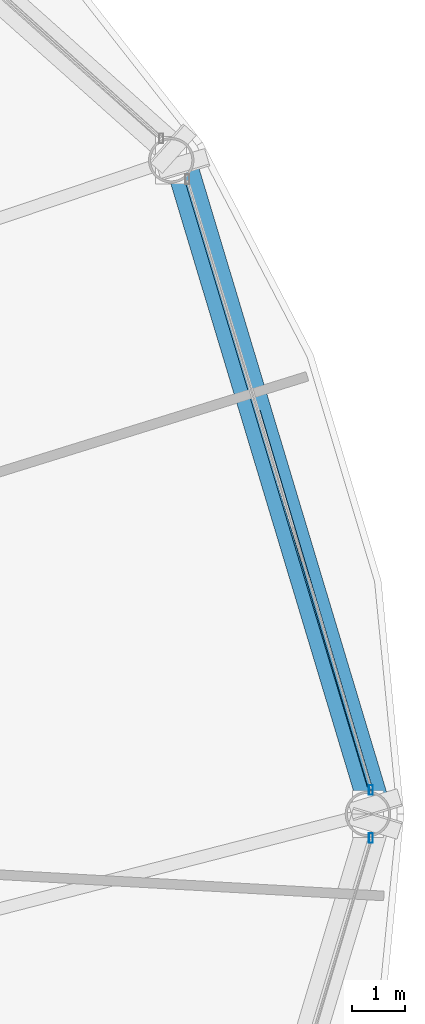
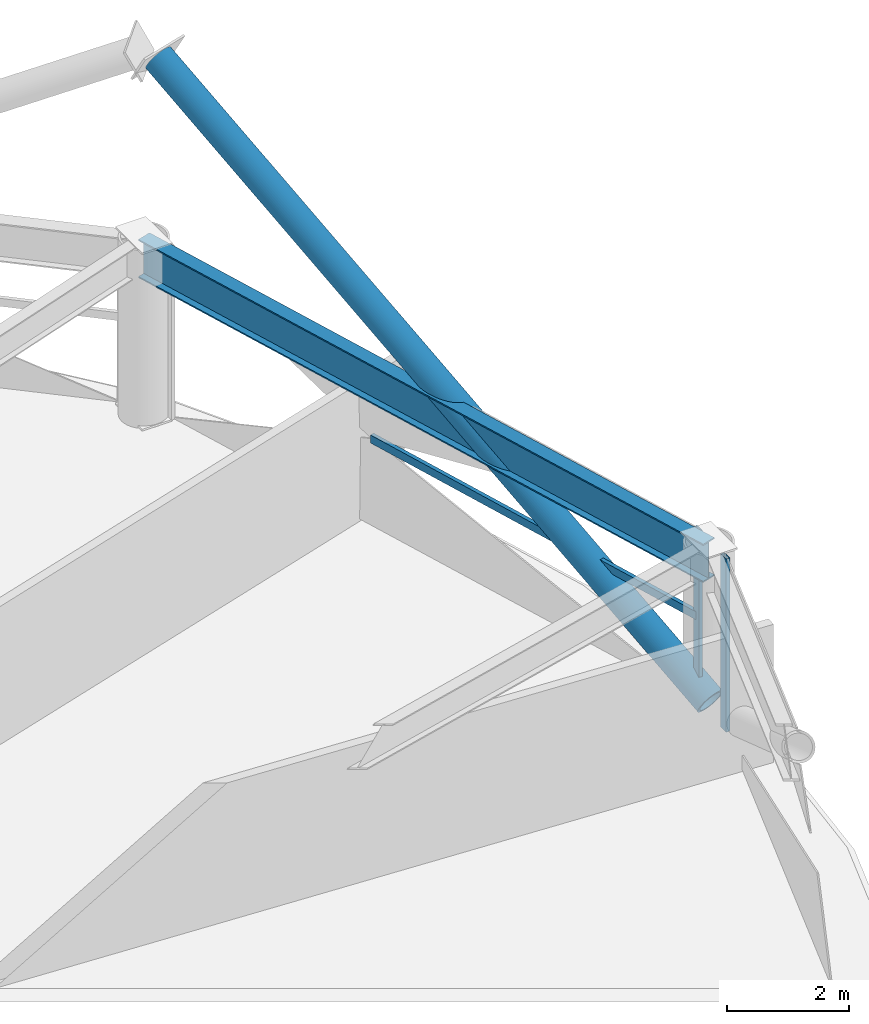
# One storey, part 12 of 30: 4 members, 1 beam, 2 elements without a shape of their own.
"""IFC4 building model written with IfcOpenShell, lengths in metres."""

from ifc_helpers import new_model, si_unit, direction, frame, origin, origin_2d, place, context, subcontext, project, spatial, hollow_rectangle, hollow_circle, i_section, extrude, material, layer, layer_set, material_profile, profile_set, type_object, element, aggregate, save


model = new_model("IFC4")

# Units and contexts
model_context = context("Model", 3, precision=1e-05, world=origin(), true_north=direction((0.0, 1.0)))
body_context = subcontext(model_context, "Body", "Model", "MODEL_VIEW")
ifc_project = project(units=[si_unit("LENGTHUNIT", "METRE"), si_unit("AREAUNIT", "SQUARE_METRE"), si_unit("VOLUMEUNIT", "CUBIC_METRE"), si_unit("PLANEANGLEUNIT", "RADIAN"), si_unit("MASSUNIT", "GRAM", prefix="KILO")], contexts=[model_context])

# Site, building, storey
site_placement = place(None, origin())
site = spatial("IfcSite", under=ifc_project, at=site_placement, CompositionType="ELEMENT")
building_placement = place(site_placement, origin())
building = spatial("IfcBuilding", under=site, at=building_placement, Name="Vantalir Tower", CompositionType="ELEMENT")
storey_placement = place(building_placement, frame((0.0, 0.0, 57.0)))
storey = spatial("IfcBuildingStorey", under=building, at=storey_placement, Name="L13", CompositionType="ELEMENT", Elevation=57.0)

# Beam
ifc_material_1 = material(Name="Steel S460", Category="steel")
ifc_material_profile_1 = material_profile(ifc_material_1, i_section(OverallWidth=0.26806640625, OverallDepth=0.77001953125, WebThickness=0.015625, FlangeThickness=0.025390625, at=origin_2d()), Name="Steel S460")
ifc_profile_set_1 = profile_set([ifc_material_profile_1], Name="Steel S460")
beam_type = type_object("IfcBeamType", Name="BM-RG-762x267", PredefinedType="USERDEFINED", material=ifc_profile_set_1)
beam_placement = place(storey_placement, frame((58.950927734375, 25.0, 3.18505859375), z_axis=(-0.28809870996, 0.957600717063, 0.0), x_axis=(-0.957600717063, -0.28809870996, 0.0)))
element("IfcBeam", 1, at=beam_placement, inside=storey, type_object=beam_type, Name="L13 Circumferential Ring Girder 01", ObjectType="GIRDER", PredefinedType="USERDEFINED", context=body_context, shape_type="SweptSolid", body=[
    extrude(i_section(OverallWidth=0.26806640625, OverallDepth=0.77001953125, WebThickness=0.015625, FlangeThickness=0.025390625, at=origin_2d()), origin(), (0.0, 0.0, 1.0), 12.766357421875),
])

# Curtain wall, member
ifc_material_2 = material(Name="Champagne-silver PVDF aluminium and double-silver Low-E glass", Category="aluminium")
ifc_layer = layer(ifc_material_2, 0.18994140625)
ifc_layer_set = layer_set([ifc_layer], Name="Champagne-silver PVDF aluminium and double-silver Low-E glass")
curtain_wall_type = type_object("IfcCurtainWallType", Name="CW-DIAMOND-Z1", PredefinedType="USERDEFINED", material=ifc_layer_set)
curtain_wall_1_placement = place(storey_placement, origin())
curtain_wall_1 = element("IfcCurtainWall", 2, at=curtain_wall_1_placement, inside=storey, type_object=curtain_wall_type, Name="L13 Quilted Pyramid-Diamond Curtain Wall S01", ObjectType="UNITISED CURTAIN WALL", PredefinedType="USERDEFINED")
ifc_material_3 = material(Name="Champagne-silver PVDF aluminium 6063-T6", Category="aluminium")
ifc_material_profile_2 = material_profile(ifc_material_3, hollow_rectangle(XDim=0.074951171875, YDim=0.179931640625, WallThickness=0.00390625, at=origin_2d()), Name="Champagne-silver PVDF aluminium 6063-T6")
ifc_profile_set_2 = profile_set([ifc_material_profile_2], Name="Champagne-silver PVDF aluminium 6063-T6")
member_type_1 = type_object("IfcMemberType", Name="CWM-180x75", PredefinedType="MULLION", material=ifc_profile_set_2)
member_1_placement = place(storey_placement, frame((59.006103515625, 25.449951171875, 0.044921875), z_axis=(0.0, 0.0, 1.0), x_axis=(1.0, 0.0, 0.0)))
member_1 = element("IfcMember", 3, at=member_1_placement, type_object=member_type_1, Name="CW-L13-S01 Mullion 1", PredefinedType="MULLION", context=body_context, shape_type="SweptSolid", body=[
    extrude(hollow_rectangle(XDim=0.074951171875, YDim=0.179931640625, WallThickness=0.00390625, at=origin_2d()), origin(), (0.0, 0.0, 1.0), 3.47998046875),
])

curtain_wall_2_placement = place(storey_placement, origin())
curtain_wall_2 = element("IfcCurtainWall", 4, at=curtain_wall_2_placement, inside=storey, type_object=curtain_wall_type, Name="L13 Quilted Pyramid-Diamond Curtain Wall S12", ObjectType="UNITISED CURTAIN WALL", PredefinedType="USERDEFINED")
member_2_placement = place(storey_placement, frame((59.006103515625, 24.550048828125, 0.044921875), z_axis=(0.0, 0.0, 1.0), x_axis=(1.0, 0.0, 0.0)))
member_2 = element("IfcMember", 5, at=member_2_placement, type_object=member_type_1, Name="CW-L13-S12 Mullion 2", PredefinedType="MULLION", context=body_context, shape_type="SweptSolid", body=[
    extrude(hollow_rectangle(XDim=0.074951171875, YDim=0.179931640625, WallThickness=0.00390625, at=origin_2d()), origin(), (0.0, 0.0, 1.0), 3.47998046875),
])
aggregate(curtain_wall_2, [member_2])

# Member
ifc_material_profile_3 = material_profile(ifc_material_3, hollow_rectangle(XDim=0.074951171875, YDim=0.159912109375, WallThickness=0.00390625, at=origin_2d()), Name="Champagne-silver PVDF aluminium 6063-T6")
ifc_profile_set_3 = profile_set([ifc_material_profile_3], Name="Champagne-silver PVDF aluminium 6063-T6")
member_type_2 = type_object("IfcMemberType", Name="CWT-160x75", PredefinedType="USERDEFINED", material=ifc_profile_set_3)
member_3_placement = place(storey_placement, frame((59.006103515625, 25.449951171875, 1.784912109375), z_axis=(-0.284750496693, 0.9586016663, 0.0), x_axis=(-0.9586016663, -0.284750496693, 0.0)))
member_3 = element("IfcMember", 6, at=member_3_placement, type_object=member_type_2, Name="CW-L13-S01 Pyramid Fold Ridge Transom", ObjectType="TRANSOM", PredefinedType="USERDEFINED", context=body_context, shape_type="SweptSolid", body=[
    extrude(hollow_rectangle(XDim=0.074951171875, YDim=0.159912109375, WallThickness=0.00390625, at=origin_2d()), origin(), (0.0, 0.0, 1.0), 7.393310546875),
])

aggregate(curtain_wall_1, [member_1, member_3])

ifc_material_profile_4 = material_profile(ifc_material_1, hollow_circle(Radius=0.27001953125, WallThickness=0.044921875, at=origin_2d()), Name="Steel S460")
ifc_profile_set_4 = profile_set([ifc_material_profile_4], Name="Steel S460")
member_type_3 = type_object("IfcMemberType", Name="MEM-DB-540x45", PredefinedType="BRACE", material=ifc_profile_set_4)
member_4_placement = place(storey_placement, frame((59.0859375, 25.18408203125, 0.18701171875), z_axis=(-0.251558260499, 0.83678974266, 0.486314063291), x_axis=(-0.957661914972, -0.287895218111, 0.0)))
element("IfcMember", 7, at=member_4_placement, inside=storey, type_object=member_type_3, Name="L13 Perimeter S460 Diagrid Brace R01L", PredefinedType="BRACE", context=body_context, shape_type="SweptSolid", body=[
    extrude(hollow_circle(Radius=0.27001953125, WallThickness=0.044921875, at=origin_2d()), origin(), (0.0, 0.0, 1.0), 14.282958984375),
])

save(model, "model.ifc")
